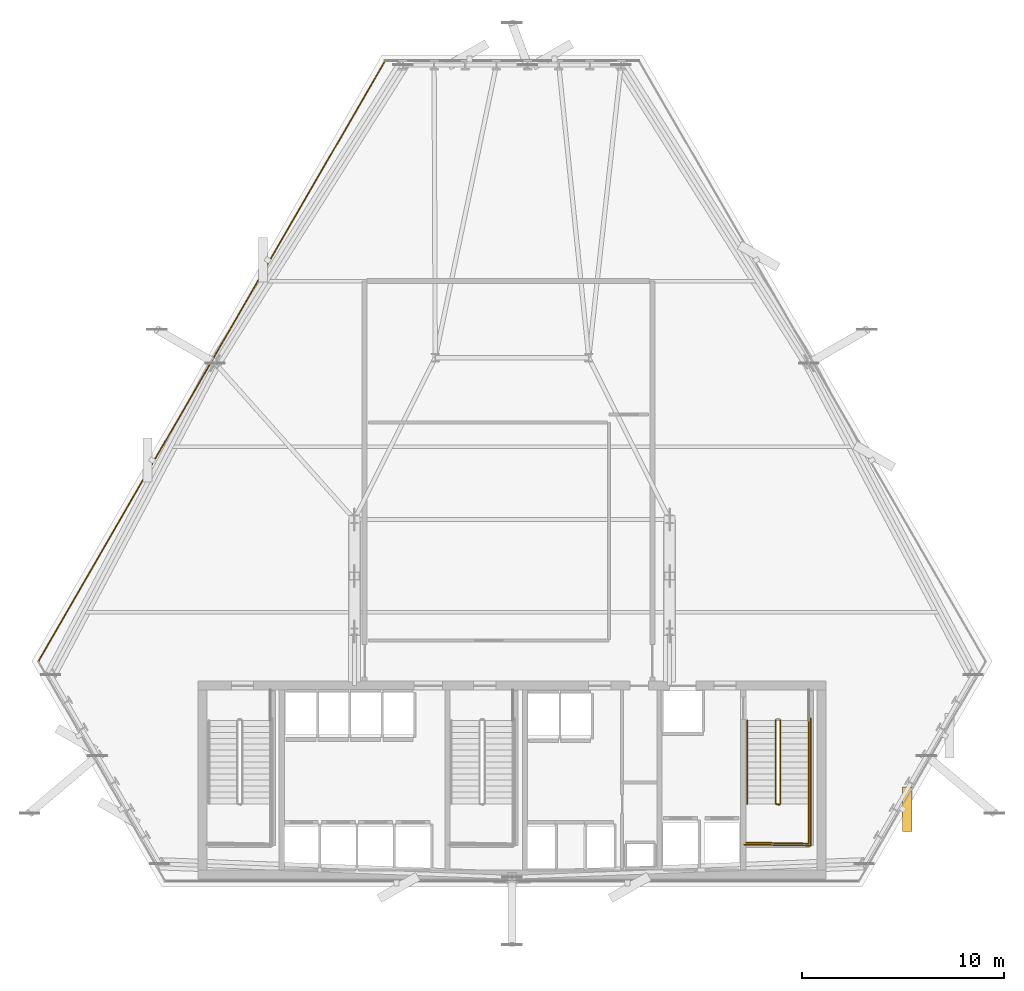
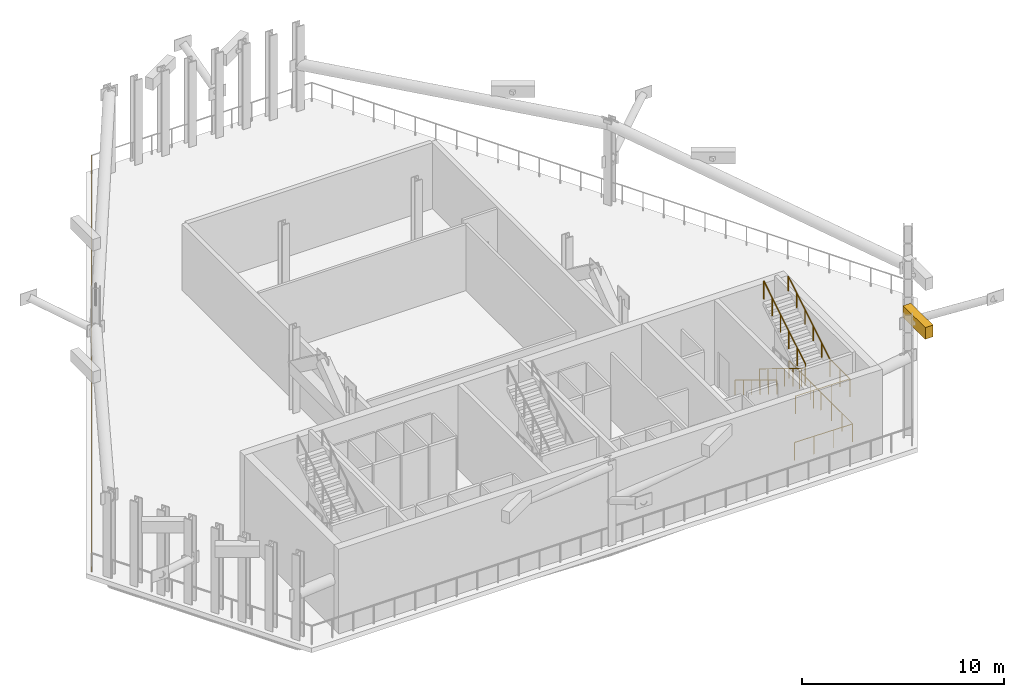
# One storey, part 9 of 11: 7 railings, 1 shading device.
"""IFC4 building model written with IfcOpenShell, lengths in metres."""

from ifc_helpers import new_model, si_unit, direction, frame, origin, origin_2d, place, context, subcontext, project, spatial, rectangle, circle, extrude, material, layer, layer_set, type_object, element, save


model = new_model("IFC4")

# Units and contexts
model_context = context("Model", 3, precision=1e-05, world=origin(), true_north=direction((0.0, 1.0)))
body_context = subcontext(model_context, "Body", "Model", "MODEL_VIEW")
ifc_project = project(units=[si_unit("LENGTHUNIT", "METRE"), si_unit("AREAUNIT", "SQUARE_METRE"), si_unit("VOLUMEUNIT", "CUBIC_METRE"), si_unit("PLANEANGLEUNIT", "RADIAN"), si_unit("MASSUNIT", "GRAM", prefix="KILO")], contexts=[model_context])

# Site, building, storey
site_placement = place(None, origin())
site = spatial("IfcSite", under=ifc_project, at=site_placement, CompositionType="ELEMENT")
building_placement = place(site_placement, origin())
building = spatial("IfcBuilding", under=site, at=building_placement, Name="Ndaravel Arena Tower", CompositionType="ELEMENT")
storey_placement = place(building_placement, frame((0.0, 0.0, 112.0)))
storey = spatial("IfcBuildingStorey", under=building, at=storey_placement, Name="L26", CompositionType="ELEMENT", Elevation=112.0)

# Railings
ifc_material_1 = material(Name="Steel S355", Category="steel")
ifc_layer_1 = layer(ifc_material_1, 0.06005859375)
ifc_layer_set_1 = layer_set([ifc_layer_1], Name="Steel S355")
railing_type_1 = type_object("IfcRailingType", Name="RAIL-STAIR-GD1100", PredefinedType="GUARDRAIL", material=ifc_layer_set_1)
railing_1_placement = place(storey_placement, frame((55.050048828125, 13.25, 0.179931640625)))
element("IfcRailing", 1, at=railing_1_placement, inside=storey, type_object=railing_type_1, Name="L26 ST-3 stair guard 1", PredefinedType="GUARDRAIL", context=body_context, shape_type="SweptSolid", body=[
    extrude(circle(Radius=0.02392578125, at=origin_2d()), frame((0.0, 0.0, 1.076171875), z_axis=(0.0, -0.853630913754, 0.520878357281), x_axis=(1.0, 0.0, 0.0)), (0.0, 0.0, 1.0), 4.838134765625),
    extrude(circle(Radius=0.02392578125, at=origin_2d()), frame((0.0, -4.1298828125, 3.59619140625), z_axis=(0.966993988697, -0.254799187253, 0.0), x_axis=(0.254799187253, 0.966993988697, 0.0)), (0.0, 0.0, 1.0), 0.196533203125),
    extrude(circle(Radius=0.02099609375, at=origin_2d()), origin(), (0.0, 0.0, 1.0), 1.052001953125),
    extrude(circle(Radius=0.02099609375, at=origin_2d()), frame((0.0, -0.825927734375, 0.50390625)), (0.0, 0.0, 1.0), 1.052001953125),
    extrude(circle(Radius=0.02099609375, at=origin_2d()), frame((0.0, -1.65185546875, 1.008056640625)), (0.0, 0.0, 1.0), 1.052001953125),
    extrude(circle(Radius=0.02099609375, at=origin_2d()), frame((0.0, -2.47802734375, 1.511962890625)), (0.0, 0.0, 1.0), 1.052001953125),
    extrude(circle(Radius=0.02099609375, at=origin_2d()), frame((0.0, -3.303955078125, 2.01611328125)), (0.0, 0.0, 1.0), 1.052001953125),
    extrude(circle(Radius=0.02099609375, at=origin_2d()), frame((0.0, -4.1298828125, 2.52001953125)), (0.0, 0.0, 1.0), 1.052001953125),
    extrude(circle(Radius=0.02099609375, at=origin_2d()), frame((0.18994140625, -4.179931640625, 2.52001953125)), (0.0, 0.0, 1.0), 1.052001953125),
])
railing_2_placement = place(storey_placement, frame((56.68994140625, 9.1201171875, 2.699951171875)))
element("IfcRailing", 2, at=railing_2_placement, inside=storey, type_object=railing_type_1, Name="L26 ST-3 stair guard 2", PredefinedType="GUARDRAIL", context=body_context, shape_type="SweptSolid", body=[
    extrude(circle(Radius=0.02392578125, at=origin_2d()), frame((0.0, 0.0, 1.076171875), z_axis=(0.0, -1.0, 0.0), x_axis=(1.0, 0.0, 0.0)), (0.0, 0.0, 1.0), 1.97021484375),
    extrude(circle(Radius=0.02392578125, at=origin_2d()), frame((0.0, -1.97021484375, 1.076171875), z_axis=(-0.999868840623, 0.016195726322, 0.0), x_axis=(-0.016195726322, -0.999868840623, 0.0)), (0.0, 0.0, 1.0), 3.09033203125),
    extrude(circle(Radius=0.02099609375, at=origin_2d()), origin(), (0.0, 0.0, 1.0), 1.052001953125),
    extrude(circle(Radius=0.02099609375, at=origin_2d()), frame((0.0, -0.985107421875, 0.0)), (0.0, 0.0, 1.0), 1.052001953125),
    extrude(circle(Radius=0.02099609375, at=origin_2d()), frame((0.0, -1.97021484375, 0.0)), (0.0, 0.0, 1.0), 1.052001953125),
    extrude(circle(Radius=0.02099609375, at=origin_2d()), frame((-1.030029296875, -1.95361328125, 0.0)), (0.0, 0.0, 1.0), 1.052001953125),
    extrude(circle(Radius=0.02099609375, at=origin_2d()), frame((-2.059814453125, -1.936767578125, 0.0)), (0.0, 0.0, 1.0), 1.052001953125),
    extrude(circle(Radius=0.02099609375, at=origin_2d()), frame((-3.08984375, -1.920166015625, 0.0)), (0.0, 0.0, 1.0), 1.052001953125),
])
railing_3_placement = place(storey_placement, frame((55.2900390625, 9.1201171875, 2.8798828125)))
element("IfcRailing", 3, at=railing_3_placement, inside=storey, type_object=railing_type_1, Name="L26 ST-3 stair guard 3", PredefinedType="GUARDRAIL", context=body_context, shape_type="SweptSolid", body=[
    extrude(circle(Radius=0.02392578125, at=origin_2d()), frame((0.0, 0.0, 1.076171875), z_axis=(0.0, 0.853630913754, 0.520878357281), x_axis=(-1.0, 0.0, 0.0)), (0.0, 0.0, 1.0), 4.838134765625),
    extrude(circle(Radius=0.02099609375, at=origin_2d()), origin(), (0.0, 0.0, 1.0), 1.052001953125),
    extrude(circle(Radius=0.02099609375, at=origin_2d()), frame((0.0, 0.825927734375, 0.50390625)), (0.0, 0.0, 1.0), 1.052001953125),
    extrude(circle(Radius=0.02099609375, at=origin_2d()), frame((0.0, 1.65185546875, 1.008056640625)), (0.0, 0.0, 1.0), 1.052001953125),
    extrude(circle(Radius=0.02099609375, at=origin_2d()), frame((0.0, 2.47802734375, 1.511962890625)), (0.0, 0.0, 1.0), 1.052001953125),
    extrude(circle(Radius=0.02099609375, at=origin_2d()), frame((0.0, 3.303955078125, 2.01611328125)), (0.0, 0.0, 1.0), 1.052001953125),
    extrude(circle(Radius=0.02099609375, at=origin_2d()), frame((0.0, 4.1298828125, 2.52001953125)), (0.0, 0.0, 1.0), 1.052001953125),
])
railing_4_placement = place(storey_placement, frame((56.7900390625, 13.35009765625, 0.0)))
element("IfcRailing", 4, at=railing_4_placement, inside=storey, type_object=railing_type_1, Name="L26 ST-3 stair guard 6", PredefinedType="GUARDRAIL", context=body_context, shape_type="SweptSolid", body=[
    extrude(circle(Radius=0.02392578125, at=origin_2d()), frame((0.0, 0.0, 1.076171875), z_axis=(0.0, -1.0, 0.0), x_axis=(1.0, 0.0, 0.0)), (0.0, 0.0, 1.0), 6.300048828125),
    extrude(circle(Radius=0.02392578125, at=origin_2d()), frame((0.0, -6.300048828125, 1.076171875), z_axis=(-0.99988431412, 0.015210469308, 0.0), x_axis=(-0.015210469308, -0.99988431412, 0.0)), (0.0, 0.0, 1.0), 3.29052734375),
    extrude(circle(Radius=0.02099609375, at=origin_2d()), origin(), (0.0, 0.0, 1.0), 1.052001953125),
    extrude(circle(Radius=0.02099609375, at=origin_2d()), frame((0.0, -1.050048828125, 0.0)), (0.0, 0.0, 1.0), 1.052001953125),
    extrude(circle(Radius=0.02099609375, at=origin_2d()), frame((0.0, -2.10009765625, 0.0)), (0.0, 0.0, 1.0), 1.052001953125),
    extrude(circle(Radius=0.02099609375, at=origin_2d()), frame((0.0, -3.14990234375, 0.0)), (0.0, 0.0, 1.0), 1.052001953125),
    extrude(circle(Radius=0.02099609375, at=origin_2d()), frame((0.0, -4.199951171875, 0.0)), (0.0, 0.0, 1.0), 1.052001953125),
    extrude(circle(Radius=0.02099609375, at=origin_2d()), frame((0.0, -5.25, 0.0)), (0.0, 0.0, 1.0), 1.052001953125),
    extrude(circle(Radius=0.02099609375, at=origin_2d()), frame((0.0, -6.300048828125, 0.0)), (0.0, 0.0, 1.0), 1.052001953125),
    extrude(circle(Radius=0.02099609375, at=origin_2d()), frame((-1.0966796875, -6.283447265625, 0.0)), (0.0, 0.0, 1.0), 1.052001953125),
    extrude(circle(Radius=0.02099609375, at=origin_2d()), frame((-2.193359375, -6.2666015625, 0.0)), (0.0, 0.0, 1.0), 1.052001953125),
    extrude(circle(Radius=0.02099609375, at=origin_2d()), frame((-3.2900390625, -6.25, 0.0)), (0.0, 0.0, 1.0), 1.052001953125),
])
ifc_material_2 = material(Name="Steel S355", Category="steel")
ifc_layer_2 = layer(ifc_material_2, 0.050048828125)
ifc_layer_set_2 = layer_set([ifc_layer_2], Name="Steel S355")
railing_type_2 = type_object("IfcRailingType", Name="RAIL-STAIR-HR920", PredefinedType="HANDRAIL", material=ifc_layer_set_2)
railing_5_placement = place(storey_placement, frame((53.64990234375, 13.25, 0.179931640625)))
element("IfcRailing", 5, at=railing_5_placement, inside=storey, type_object=railing_type_2, Name="L26 ST-3 stair handrail 1", PredefinedType="HANDRAIL", context=body_context, shape_type="SweptSolid", body=[
    extrude(circle(Radius=0.02392578125, at=origin_2d()), frame((0.0, 0.0, 0.8759765625), z_axis=(0.0, -0.853630913754, 0.520878357281), x_axis=(1.0, 0.0, 0.0)), (0.0, 0.0, 1.0), 4.838134765625),
    extrude(circle(Radius=0.02099609375, at=origin_2d()), origin(), (0.0, 0.0, 1.0), 0.851806640625),
    extrude(circle(Radius=0.02099609375, at=origin_2d()), frame((0.0, -0.825927734375, 0.50390625)), (0.0, 0.0, 1.0), 0.851806640625),
    extrude(circle(Radius=0.02099609375, at=origin_2d()), frame((0.0, -1.65185546875, 1.008056640625)), (0.0, 0.0, 1.0), 0.851806640625),
    extrude(circle(Radius=0.02099609375, at=origin_2d()), frame((0.0, -2.47802734375, 1.511962890625)), (0.0, 0.0, 1.0), 0.851806640625),
    extrude(circle(Radius=0.02099609375, at=origin_2d()), frame((0.0, -3.303955078125, 2.01611328125)), (0.0, 0.0, 1.0), 0.851806640625),
    extrude(circle(Radius=0.02099609375, at=origin_2d()), frame((0.0, -4.1298828125, 2.52001953125)), (0.0, 0.0, 1.0), 0.851806640625),
])
railing_6_placement = place(storey_placement, frame((56.68994140625, 9.1201171875, 2.8798828125)))
element("IfcRailing", 6, at=railing_6_placement, inside=storey, type_object=railing_type_2, Name="L26 ST-3 stair handrail 2", PredefinedType="HANDRAIL", context=body_context, shape_type="SweptSolid", body=[
    extrude(circle(Radius=0.02392578125, at=origin_2d()), frame((0.0, 0.0, 0.8759765625), z_axis=(0.0, 0.853630913754, 0.520878357281), x_axis=(-1.0, 0.0, 0.0)), (0.0, 0.0, 1.0), 4.838134765625),
    extrude(circle(Radius=0.02099609375, at=origin_2d()), origin(), (0.0, 0.0, 1.0), 0.851806640625),
    extrude(circle(Radius=0.02099609375, at=origin_2d()), frame((0.0, 0.825927734375, 0.50390625)), (0.0, 0.0, 1.0), 0.851806640625),
    extrude(circle(Radius=0.02099609375, at=origin_2d()), frame((0.0, 1.65185546875, 1.008056640625)), (0.0, 0.0, 1.0), 0.851806640625),
    extrude(circle(Radius=0.02099609375, at=origin_2d()), frame((0.0, 2.47802734375, 1.511962890625)), (0.0, 0.0, 1.0), 0.851806640625),
    extrude(circle(Radius=0.02099609375, at=origin_2d()), frame((0.0, 3.303955078125, 2.01611328125)), (0.0, 0.0, 1.0), 0.851806640625),
    extrude(circle(Radius=0.02099609375, at=origin_2d()), frame((0.0, 4.1298828125, 2.52001953125)), (0.0, 0.0, 1.0), 0.851806640625),
])
ifc_material_3 = material(Name="Glazing", Category="glass")
ifc_layer_3 = layer(ifc_material_3, 0.070068359375)
ifc_layer_set_3 = layer_set([ifc_layer_3], Name="Glazing")
railing_type_3 = type_object("IfcRailingType", Name="RAIL-TERRACE-1150", PredefinedType="BALUSTRADE", material=ifc_layer_set_3)
railing_7_placement = place(storey_placement, frame((35.711181640625, 45.904052734375, 0.0)))
element("IfcRailing", 7, at=railing_7_placement, inside=storey, type_object=railing_type_3, Name="L26 Open Wind Floor Perimeter Guard 5", PredefinedType="BALUSTRADE", context=body_context, shape_type="SweptSolid", body=[
    extrude(circle(Radius=0.02392578125, at=origin_2d()), frame((0.0, 0.0, 1.1259765625), z_axis=(-0.500001515888, -0.866024528585, 0.0), x_axis=(0.866024528585, -0.500001515888, 0.0)), (0.0, 0.0, 1.0), 34.3310546875),
    extrude(circle(Radius=0.02099609375, at=origin_2d()), origin(), (0.0, 0.0, 1.0), 1.101806640625),
    extrude(circle(Radius=0.02099609375, at=origin_2d()), frame((-0.591796875, -1.025146484375, 0.0)), (0.0, 0.0, 1.0), 1.101806640625),
    extrude(circle(Radius=0.02099609375, at=origin_2d()), frame((-1.183837890625, -2.050537109375, 0.0)), (0.0, 0.0, 1.0), 1.101806640625),
    extrude(circle(Radius=0.02099609375, at=origin_2d()), frame((-1.775634765625, -3.07568359375, 0.0)), (0.0, 0.0, 1.0), 1.101806640625),
    extrude(circle(Radius=0.02099609375, at=origin_2d()), frame((-2.36767578125, -4.100830078125, 0.0)), (0.0, 0.0, 1.0), 1.101806640625),
    extrude(circle(Radius=0.02099609375, at=origin_2d()), frame((-2.95947265625, -5.126220703125, 0.0)), (0.0, 0.0, 1.0), 1.101806640625),
    extrude(circle(Radius=0.02099609375, at=origin_2d()), frame((-3.551513671875, -6.1513671875, 0.0)), (0.0, 0.0, 1.0), 1.101806640625),
    extrude(circle(Radius=0.02099609375, at=origin_2d()), frame((-4.143310546875, -7.176513671875, 0.0)), (0.0, 0.0, 1.0), 1.101806640625),
    extrude(circle(Radius=0.02099609375, at=origin_2d()), frame((-4.7353515625, -8.20166015625, 0.0)), (0.0, 0.0, 1.0), 1.101806640625),
    extrude(circle(Radius=0.02099609375, at=origin_2d()), frame((-5.3271484375, -9.22705078125, 0.0)), (0.0, 0.0, 1.0), 1.101806640625),
    extrude(circle(Radius=0.02099609375, at=origin_2d()), frame((-5.919189453125, -10.252197265625, 0.0)), (0.0, 0.0, 1.0), 1.101806640625),
    extrude(circle(Radius=0.02099609375, at=origin_2d()), frame((-6.510986328125, -11.27734375, 0.0)), (0.0, 0.0, 1.0), 1.101806640625),
    extrude(circle(Radius=0.02099609375, at=origin_2d()), frame((-7.10302734375, -12.302734375, 0.0)), (0.0, 0.0, 1.0), 1.101806640625),
    extrude(circle(Radius=0.02099609375, at=origin_2d()), frame((-7.69482421875, -13.327880859375, 0.0)), (0.0, 0.0, 1.0), 1.101806640625),
    extrude(circle(Radius=0.02099609375, at=origin_2d()), frame((-8.286865234375, -14.35302734375, 0.0)), (0.0, 0.0, 1.0), 1.101806640625),
    extrude(circle(Radius=0.02099609375, at=origin_2d()), frame((-8.878662109375, -15.37841796875, 0.0)), (0.0, 0.0, 1.0), 1.101806640625),
    extrude(circle(Radius=0.02099609375, at=origin_2d()), frame((-9.470703125, -16.403564453125, 0.0)), (0.0, 0.0, 1.0), 1.101806640625),
    extrude(circle(Radius=0.02099609375, at=origin_2d()), frame((-10.0625, -17.4287109375, 0.0)), (0.0, 0.0, 1.0), 1.101806640625),
    extrude(circle(Radius=0.02099609375, at=origin_2d()), frame((-10.654541015625, -18.4541015625, 0.0)), (0.0, 0.0, 1.0), 1.101806640625),
    extrude(circle(Radius=0.02099609375, at=origin_2d()), frame((-11.246337890625, -19.479248046875, 0.0)), (0.0, 0.0, 1.0), 1.101806640625),
    extrude(circle(Radius=0.02099609375, at=origin_2d()), frame((-11.83837890625, -20.50439453125, 0.0)), (0.0, 0.0, 1.0), 1.101806640625),
    extrude(circle(Radius=0.02099609375, at=origin_2d()), frame((-12.43017578125, -21.52978515625, 0.0)), (0.0, 0.0, 1.0), 1.101806640625),
    extrude(circle(Radius=0.02099609375, at=origin_2d()), frame((-13.022216796875, -22.554931640625, 0.0)), (0.0, 0.0, 1.0), 1.101806640625),
    extrude(circle(Radius=0.02099609375, at=origin_2d()), frame((-13.614013671875, -23.580078125, 0.0)), (0.0, 0.0, 1.0), 1.101806640625),
    extrude(circle(Radius=0.02099609375, at=origin_2d()), frame((-14.2060546875, -24.605224609375, 0.0)), (0.0, 0.0, 1.0), 1.101806640625),
    extrude(circle(Radius=0.02099609375, at=origin_2d()), frame((-14.7978515625, -25.630615234375, 0.0)), (0.0, 0.0, 1.0), 1.101806640625),
    extrude(circle(Radius=0.02099609375, at=origin_2d()), frame((-15.389892578125, -26.65576171875, 0.0)), (0.0, 0.0, 1.0), 1.101806640625),
    extrude(circle(Radius=0.02099609375, at=origin_2d()), frame((-15.981689453125, -27.680908203125, 0.0)), (0.0, 0.0, 1.0), 1.101806640625),
    extrude(circle(Radius=0.02099609375, at=origin_2d()), frame((-16.57373046875, -28.706298828125, 0.0)), (0.0, 0.0, 1.0), 1.101806640625),
    extrude(circle(Radius=0.02099609375, at=origin_2d()), frame((-17.16552734375, -29.7314453125, 0.0)), (0.0, 0.0, 1.0), 1.101806640625),
])

# Shading device
ifc_material_4 = material(Name="Aluminium", Category="aluminium")
shading_device_type = type_object("IfcShadingDeviceType", Name="SHD-WIND-LOUVRE", PredefinedType="JALOUSIE", material=ifc_material_4)
shading_device_placement = place(storey_placement, frame((61.572509765625, 8.850830078125, 4.169921875), z_axis=(0.0, 0.0, 1.0), x_axis=(1.0, 0.0, 0.0)))
element("IfcShadingDevice", 8, at=shading_device_placement, inside=storey, type_object=shading_device_type, Name="L26 Wind-Floor Acoustic Louvre 2.1", PredefinedType="JALOUSIE", context=body_context, shape_type="SweptSolid", body=[
    extrude(rectangle(XDim=0.449951171875, YDim=2.199951171875, at=origin_2d()), origin(), (0.0, 0.0, 1.0), 0.699951171875),
])

save(model, "model.ifc")
